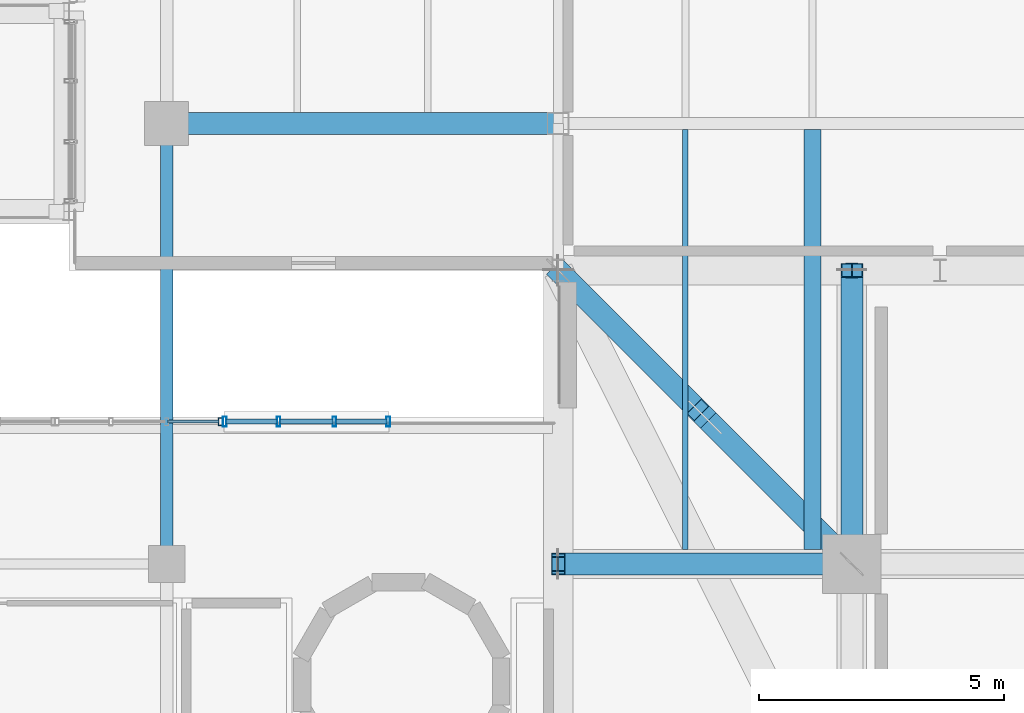
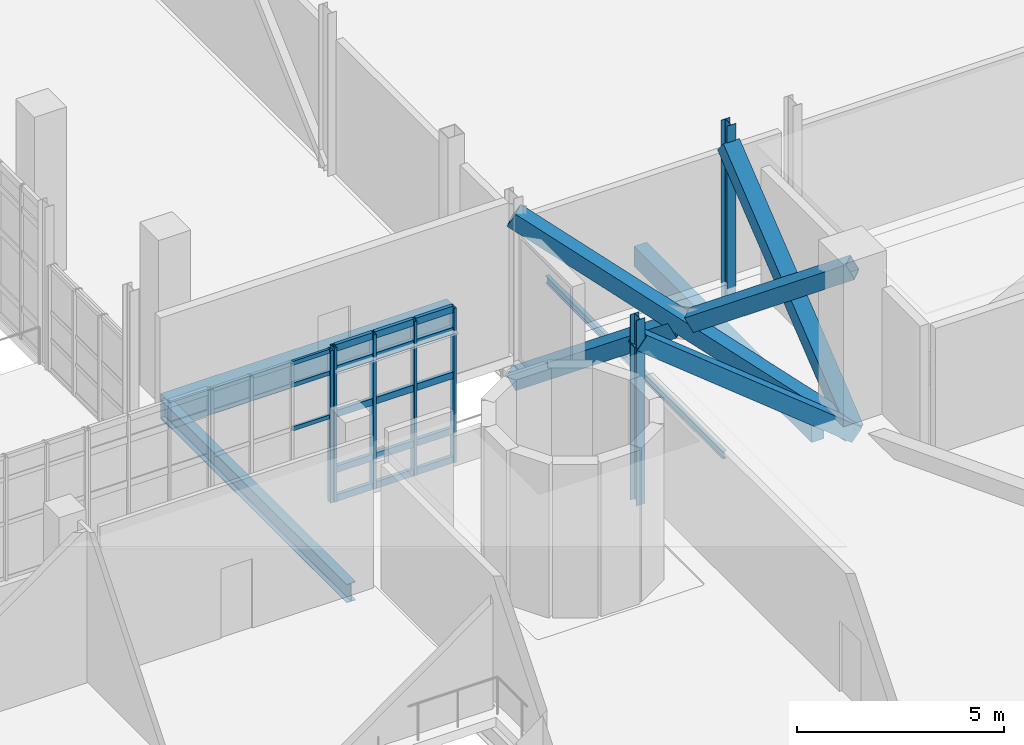
# One storey, part 34 of 127: 30 members, 4 beams, 2 elements without a shape of their own.
"""IFC4 building model written with IfcOpenShell, lengths in metres."""

from ifc_helpers import new_model, si_unit, derived_unit, direction, frame, origin, origin_2d, place, context, subcontext, project, spatial, rectangle, hollow_rectangle, i_section, extrude, material, layer, layer_set, material_profile, profile_set, type_object, element, aggregate, save


model = new_model("IFC4")

# Units and contexts
model_context = context("Model", 3, precision=1e-05, world=origin(), true_north=direction((0.0, 1.0)))
body_context = subcontext(model_context, "Body", "Model", "MODEL_VIEW")
ifc_project = project(units=[si_unit("LENGTHUNIT", "METRE"), si_unit("AREAUNIT", "SQUARE_METRE"), si_unit("VOLUMEUNIT", "CUBIC_METRE"), si_unit("PLANEANGLEUNIT", "RADIAN"), si_unit("MASSUNIT", "GRAM", prefix="KILO"), derived_unit("THERMALTRANSMITTANCEUNIT", [(si_unit("POWERUNIT", "WATT"), 1), (si_unit("LENGTHUNIT", "METRE"), -2), (si_unit("THERMODYNAMICTEMPERATUREUNIT", "KELVIN"), -1)])], contexts=[model_context])

# Site, building, storey
site_placement = place(None, origin())
site = spatial("IfcSite", under=ifc_project, at=site_placement, CompositionType="ELEMENT")
building_placement = place(site_placement, origin())
building = spatial("IfcBuilding", under=site, at=building_placement, Name="Nallur Shell Playhouse", CompositionType="ELEMENT")
storey_placement = place(building_placement, frame((0.0, 0.0, 5.39990234375)))
storey = spatial("IfcBuildingStorey", under=building, at=storey_placement, Name="L02", CompositionType="ELEMENT", Elevation=5.39990234375)

# Beams
ifc_material_1 = material(Name="Steel E250", Category="steel")
ifc_material_profile_1 = material_profile(ifc_material_1, i_section(OverallWidth=0.110107421875, OverallDepth=0.22509765625, WebThickness=0.006591796875, FlangeThickness=0.01171875, FilletRadius=0.011962890625, at=origin_2d()), Name="ISMB 225")
ifc_profile_set_1 = profile_set([ifc_material_profile_1], Name="Steel E250")
beam_type_1 = type_object("IfcBeamType", Name="BM-JST-ISMB225", PredefinedType="JOIST", material=ifc_profile_set_1)
beam_1_placement = place(storey_placement, frame((66.60009765625, 41.298095703125, -0.392333984375), z_axis=(0.0, 1.0, 0.0), x_axis=(-1.0, 0.0, 0.0)))
element("IfcBeam", 1, at=beam_1_placement, inside=storey, type_object=beam_type_1, Name="L02 secondary joist 8-E-533", PredefinedType="JOIST", context=body_context, shape_type="SweptSolid", body=[
    extrude(i_section(OverallWidth=0.110107421875, OverallDepth=0.22509765625, WebThickness=0.006591796875, FlangeThickness=0.01171875, FilletRadius=0.011962890625, at=origin_2d()), origin(), (0.0, 0.0, 1.0), 8.578857421875),
])
ifc_material_2 = material(Name="Concrete M30", Category="concrete")
ifc_material_profile_2 = material_profile(ifc_material_2, rectangle(XDim=0.35009765625, YDim=0.60009765625, at=origin_2d()), Name="RC 350x600")
ifc_profile_set_2 = profile_set([ifc_material_profile_2], Name="Concrete M30")
beam_type_2 = type_object("IfcBeamType", Name="BM-RC-350x600", PredefinedType="JOIST", material=ifc_profile_set_2)
beam_2_placement = place(storey_placement, frame((69.199951171875, 41.298095703125, -0.579833984375), z_axis=(0.0, 1.0, 0.0), x_axis=(-1.0, 0.0, 0.0)))
element("IfcBeam", 2, at=beam_2_placement, inside=storey, type_object=beam_type_2, Name="L02 secondary joist 8-E-534", PredefinedType="JOIST", context=body_context, shape_type="SweptSolid", body=[
    extrude(rectangle(XDim=0.35009765625, YDim=0.60009765625, at=origin_2d()), origin(), (0.0, 0.0, 1.0), 8.578857421875),
])
ifc_material_3 = material(Name="Concrete M35", Category="concrete")
ifc_material_profile_3 = material_profile(ifc_material_3, rectangle(XDim=0.449951171875, YDim=0.75, at=origin_2d()), Name="RC 450x750")
ifc_profile_set_3 = profile_set([ifc_material_profile_3], Name="Concrete M35")
beam_type_3 = type_object("IfcBeamType", Name="BM-RC-450x750", PredefinedType="BEAM", material=ifc_profile_set_3)
beam_3_placement = place(storey_placement, frame((56.0, 50.0, -0.65478515625), z_axis=(1.0, 0.0, 0.0), x_axis=(0.0, 1.0, 0.0)))
element("IfcBeam", 3, at=beam_3_placement, inside=storey, type_object=beam_type_3, Name="L02 girder X-F-350", PredefinedType="BEAM", context=body_context, shape_type="SweptSolid", body=[
    extrude(rectangle(XDim=0.449951171875, YDim=0.75, at=origin_2d()), origin(), (0.0, 0.0, 1.0), 8.0),
])
ifc_material_4 = material(Name="Steel E350", Category="steel")
ifc_material_profile_4 = material_profile(ifc_material_4, i_section(OverallWidth=0.25, OverallDepth=0.550048828125, WebThickness=0.010498046875, FlangeThickness=0.017578125, FilletRadius=0.01611328125, at=origin_2d()), Name="ISWB 550")
ifc_profile_set_4 = profile_set([ifc_material_profile_4], Name="Steel E350")
beam_type_4 = type_object("IfcBeamType", Name="BM-ST-ISWB550", PredefinedType="BEAM", material=ifc_profile_set_4)
beam_4_placement = place(storey_placement, frame((56.0, 41.0, -0.554931640625), z_axis=(0.0, 1.0, 0.0), x_axis=(-1.0, 0.0, 0.0)))
element("IfcBeam", 4, at=beam_4_placement, inside=storey, type_object=beam_type_4, Name="L02 girder Y-7-434", PredefinedType="BEAM", context=body_context, shape_type="SweptSolid", body=[
    extrude(i_section(OverallWidth=0.25, OverallDepth=0.550048828125, WebThickness=0.010498046875, FlangeThickness=0.017578125, FilletRadius=0.01611328125, at=origin_2d()), origin(), (0.0, 0.0, 1.0), 9.0),
])

# Curtain wall, member
ifc_material_5 = material(Name="Anodised Aluminium Double-Glazed Facade System", Category="aluminium")
ifc_layer_1 = layer(ifc_material_5, 0.179931640625)
ifc_layer_set_1 = layer_set([ifc_layer_1], Name="Anodised Aluminium Double-Glazed Facade System")
curtain_wall_type_1 = type_object("IfcCurtainWallType", Name="CW-UNIT-11", PredefinedType="NOTDEFINED", material=ifc_layer_set_1)
curtain_wall_1_placement = place(storey_placement, origin())
curtain_wall_1 = element("IfcCurtainWall", 5, at=curtain_wall_1_placement, inside=storey, type_object=curtain_wall_type_1, Name="Unitised curtain wall CW-011 (L02)", PredefinedType="NOTDEFINED")
ifc_material_6 = material(Name="Aluminium Alloy 6063-T6 Mullion", Category="aluminium")
ifc_material_profile_5 = material_profile(ifc_material_6, hollow_rectangle(XDim=0.080078125, YDim=0.159912109375, WallThickness=0.006103515625, at=origin_2d()), Name="RHS 160x80x6")
ifc_profile_set_5 = profile_set([ifc_material_profile_5], Name="Aluminium Alloy 6063-T6 Mullion")
member_type_1 = type_object("IfcMemberType", Name="MB-CW-MUL150", PredefinedType="MULLION", material=ifc_profile_set_5)
member_1_placement = place(storey_placement, frame((57.097900390625, 43.909912109375, -0.014892578125), z_axis=(0.0, 0.0, 1.0), x_axis=(1.0, 0.0, 0.0)))
member_1 = element("IfcMember", 6, at=member_1_placement, type_object=member_type_1, Name="CW-11 mullion 4", PredefinedType="MULLION", context=body_context, shape_type="SweptSolid", body=[
    extrude(hollow_rectangle(XDim=0.080078125, YDim=0.159912109375, WallThickness=0.006103515625, at=origin_2d()), origin(), (0.0, 0.0, 1.0), 4.4990234375),
])

# Curtain wall, members
ifc_layer_2 = layer(ifc_material_5, 0.159912109375)
ifc_layer_set_2 = layer_set([ifc_layer_2], Name="Anodised Aluminium Double-Glazed Facade System")
curtain_wall_type_2 = type_object("IfcCurtainWallType", Name="CW-UNIT-12", PredefinedType="NOTDEFINED", material=ifc_layer_set_2)
curtain_wall_2_placement = place(storey_placement, origin())
curtain_wall_2 = element("IfcCurtainWall", 7, at=curtain_wall_2_placement, inside=storey, type_object=curtain_wall_type_2, Name="Unitised curtain wall CW-012 (L02)", PredefinedType="NOTDEFINED")
ifc_material_profile_6 = material_profile(ifc_material_6, hollow_rectangle(XDim=0.074951171875, YDim=0.199951171875, WallThickness=0.0048828125, at=origin_2d()), Name="ALU 75x200x5")
ifc_profile_set_6 = profile_set([ifc_material_profile_6], Name="Aluminium Alloy 6063-T6 Mullion")
member_type_2 = type_object("IfcMemberType", Name="MB-CW-MUL180", PredefinedType="MULLION", material=ifc_profile_set_6)
member_2_placement = place(storey_placement, frame((57.185302734375, 43.909912109375, -0.014892578125), z_axis=(0.0, 0.0, 1.0), x_axis=(1.0, 0.0, 0.0)))
member_2 = element("IfcMember", 8, at=member_2_placement, type_object=member_type_2, Name="CW-12 mullion 1", PredefinedType="MULLION", context=body_context, shape_type="SweptSolid", body=[
    extrude(hollow_rectangle(XDim=0.074951171875, YDim=0.199951171875, WallThickness=0.0048828125, at=origin_2d()), origin(), (0.0, 0.0, 1.0), 4.55908203125),
])
member_3_placement = place(storey_placement, frame((58.287353515625, 43.909912109375, -0.014892578125), z_axis=(0.0, 0.0, 1.0), x_axis=(1.0, 0.0, 0.0)))
member_3 = element("IfcMember", 9, at=member_3_placement, type_object=member_type_2, Name="CW-12 mullion 2", PredefinedType="MULLION", context=body_context, shape_type="SweptSolid", body=[
    extrude(hollow_rectangle(XDim=0.074951171875, YDim=0.199951171875, WallThickness=0.0048828125, at=origin_2d()), origin(), (0.0, 0.0, 1.0), 4.55908203125),
])
member_4_placement = place(storey_placement, frame((59.427001953125, 43.909912109375, -0.014892578125), z_axis=(0.0, 0.0, 1.0), x_axis=(1.0, 0.0, 0.0)))
member_4 = element("IfcMember", 10, at=member_4_placement, type_object=member_type_2, Name="CW-12 mullion 3", PredefinedType="MULLION", context=body_context, shape_type="SweptSolid", body=[
    extrude(hollow_rectangle(XDim=0.074951171875, YDim=0.199951171875, WallThickness=0.0048828125, at=origin_2d()), origin(), (0.0, 0.0, 1.0), 4.55908203125),
])
member_5_placement = place(storey_placement, frame((60.52880859375, 43.909912109375, -0.014892578125), z_axis=(0.0, 0.0, 1.0), x_axis=(1.0, 0.0, 0.0)))
member_5 = element("IfcMember", 11, at=member_5_placement, type_object=member_type_2, Name="CW-12 mullion 4", PredefinedType="MULLION", context=body_context, shape_type="SweptSolid", body=[
    extrude(hollow_rectangle(XDim=0.074951171875, YDim=0.199951171875, WallThickness=0.0048828125, at=origin_2d()), origin(), (0.0, 0.0, 1.0), 4.55908203125),
])

# Member
ifc_material_7 = material(Name="Aluminium Alloy 6063-T6 Transom", Category="aluminium")
ifc_material_profile_7 = material_profile(ifc_material_7, hollow_rectangle(XDim=0.06494140625, YDim=0.1201171875, WallThickness=0.00390625, at=origin_2d()), Name="ALU 65x120x4")
ifc_profile_set_7 = profile_set([ifc_material_profile_7], Name="Aluminium Alloy 6063-T6 Transom")
member_type_3 = type_object("IfcMemberType", Name="MB-CW-TRN120", PredefinedType="USERDEFINED", material=ifc_profile_set_7)
member_6_placement = place(storey_placement, frame((56.0302734375, 43.909912109375, 2.509033203125), z_axis=(1.0, 0.0, 0.0), x_axis=(0.0, 1.0, 0.0)))
member_6 = element("IfcMember", 12, at=member_6_placement, type_object=member_type_3, Name="CW-11 transom 3.3", ObjectType="TRANSOM", PredefinedType="USERDEFINED", context=body_context, shape_type="SweptSolid", body=[
    extrude(hollow_rectangle(XDim=0.06494140625, YDim=0.1201171875, WallThickness=0.00390625, at=origin_2d()), origin(), (0.0, 0.0, 1.0), 1.03564453125),
])

member_7_placement = place(storey_placement, frame((56.0302734375, 43.909912109375, 3.800048828125), z_axis=(1.0, 0.0, 0.0), x_axis=(0.0, 1.0, 0.0)))
member_7 = element("IfcMember", 13, at=member_7_placement, type_object=member_type_3, Name="CW-11 transom 3.4", ObjectType="TRANSOM", PredefinedType="USERDEFINED", context=body_context, shape_type="SweptSolid", body=[
    extrude(hollow_rectangle(XDim=0.06494140625, YDim=0.1201171875, WallThickness=0.00390625, at=origin_2d()), origin(), (0.0, 0.0, 1.0), 1.03564453125),
])

member_8_placement = place(storey_placement, frame((56.0302734375, 43.909912109375, 4.447509765625), z_axis=(1.0, 0.0, 0.0), x_axis=(0.0, 1.0, 0.0)))
member_8 = element("IfcMember", 14, at=member_8_placement, type_object=member_type_3, Name="CW-11 transom 3.5", ObjectType="TRANSOM", PredefinedType="USERDEFINED", context=body_context, shape_type="SweptSolid", body=[
    extrude(hollow_rectangle(XDim=0.06494140625, YDim=0.1201171875, WallThickness=0.00390625, at=origin_2d()), origin(), (0.0, 0.0, 1.0), 1.03564453125),
])

aggregate(curtain_wall_1, [member_1, member_6, member_7, member_8])

ifc_material_profile_8 = material_profile(ifc_material_7, hollow_rectangle(XDim=0.10009765625, YDim=0.199951171875, WallThickness=0.008056640625, at=origin_2d()), Name="RHS 200x100x8")
ifc_profile_set_8 = profile_set([ifc_material_profile_8], Name="Aluminium Alloy 6063-T6 Transom")
member_type_4 = type_object("IfcMemberType", Name="MB-CW-TRN140", PredefinedType="USERDEFINED", material=ifc_profile_set_8)
member_9_placement = place(storey_placement, frame((57.21484375, 43.909912109375, 0.050048828125), z_axis=(1.0, 0.0, 0.0), x_axis=(0.0, 1.0, 0.0)))
member_9 = element("IfcMember", 15, at=member_9_placement, type_object=member_type_4, Name="CW-12 transom 1.1", ObjectType="TRANSOM", PredefinedType="USERDEFINED", context=body_context, shape_type="SweptSolid", body=[
    extrude(hollow_rectangle(XDim=0.10009765625, YDim=0.199951171875, WallThickness=0.008056640625, at=origin_2d()), origin(), (0.0, 0.0, 1.0), 1.04296875),
])

member_10_placement = place(storey_placement, frame((57.21484375, 43.909912109375, 0.900146484375), z_axis=(1.0, 0.0, 0.0), x_axis=(0.0, 1.0, 0.0)))
member_10 = element("IfcMember", 16, at=member_10_placement, type_object=member_type_4, Name="CW-12 transom 1.2", ObjectType="TRANSOM", PredefinedType="USERDEFINED", context=body_context, shape_type="SweptSolid", body=[
    extrude(hollow_rectangle(XDim=0.10009765625, YDim=0.199951171875, WallThickness=0.008056640625, at=origin_2d()), origin(), (0.0, 0.0, 1.0), 1.04296875),
])

member_11_placement = place(storey_placement, frame((57.21484375, 43.909912109375, 2.5419921875), z_axis=(1.0, 0.0, 0.0), x_axis=(0.0, 1.0, 0.0)))
member_11 = element("IfcMember", 17, at=member_11_placement, type_object=member_type_4, Name="CW-12 transom 1.3", ObjectType="TRANSOM", PredefinedType="USERDEFINED", context=body_context, shape_type="SweptSolid", body=[
    extrude(hollow_rectangle(XDim=0.10009765625, YDim=0.199951171875, WallThickness=0.008056640625, at=origin_2d()), origin(), (0.0, 0.0, 1.0), 1.04296875),
])

member_12_placement = place(storey_placement, frame((57.21484375, 43.909912109375, 3.860107421875), z_axis=(1.0, 0.0, 0.0), x_axis=(0.0, 1.0, 0.0)))
member_12 = element("IfcMember", 18, at=member_12_placement, type_object=member_type_4, Name="CW-12 transom 1.4", ObjectType="TRANSOM", PredefinedType="USERDEFINED", context=body_context, shape_type="SweptSolid", body=[
    extrude(hollow_rectangle(XDim=0.10009765625, YDim=0.199951171875, WallThickness=0.008056640625, at=origin_2d()), origin(), (0.0, 0.0, 1.0), 1.04296875),
])

member_13_placement = place(storey_placement, frame((57.21484375, 43.909912109375, 4.489990234375), z_axis=(1.0, 0.0, 0.0), x_axis=(0.0, 1.0, 0.0)))
member_13 = element("IfcMember", 19, at=member_13_placement, type_object=member_type_4, Name="CW-12 transom 1.5", ObjectType="TRANSOM", PredefinedType="USERDEFINED", context=body_context, shape_type="SweptSolid", body=[
    extrude(hollow_rectangle(XDim=0.10009765625, YDim=0.199951171875, WallThickness=0.008056640625, at=origin_2d()), origin(), (0.0, 0.0, 1.0), 1.04296875),
])

member_14_placement = place(storey_placement, frame((58.31689453125, 43.909912109375, 0.050048828125), z_axis=(1.0, 0.0, 0.0), x_axis=(0.0, 1.0, 0.0)))
member_14 = element("IfcMember", 20, at=member_14_placement, type_object=member_type_4, Name="CW-12 transom 2.1", ObjectType="TRANSOM", PredefinedType="USERDEFINED", context=body_context, shape_type="SweptSolid", body=[
    extrude(hollow_rectangle(XDim=0.10009765625, YDim=0.199951171875, WallThickness=0.008056640625, at=origin_2d()), origin(), (0.0, 0.0, 1.0), 1.08056640625),
])

member_15_placement = place(storey_placement, frame((58.31689453125, 43.909912109375, 0.900146484375), z_axis=(1.0, 0.0, 0.0), x_axis=(0.0, 1.0, 0.0)))
member_15 = element("IfcMember", 21, at=member_15_placement, type_object=member_type_4, Name="CW-12 transom 2.2", ObjectType="TRANSOM", PredefinedType="USERDEFINED", context=body_context, shape_type="SweptSolid", body=[
    extrude(hollow_rectangle(XDim=0.10009765625, YDim=0.199951171875, WallThickness=0.008056640625, at=origin_2d()), origin(), (0.0, 0.0, 1.0), 1.08056640625),
])

member_16_placement = place(storey_placement, frame((58.31689453125, 43.909912109375, 2.5419921875), z_axis=(1.0, 0.0, 0.0), x_axis=(0.0, 1.0, 0.0)))
member_16 = element("IfcMember", 22, at=member_16_placement, type_object=member_type_4, Name="CW-12 transom 2.3", ObjectType="TRANSOM", PredefinedType="USERDEFINED", context=body_context, shape_type="SweptSolid", body=[
    extrude(hollow_rectangle(XDim=0.10009765625, YDim=0.199951171875, WallThickness=0.008056640625, at=origin_2d()), origin(), (0.0, 0.0, 1.0), 1.08056640625),
])

member_17_placement = place(storey_placement, frame((58.31689453125, 43.909912109375, 3.860107421875), z_axis=(1.0, 0.0, 0.0), x_axis=(0.0, 1.0, 0.0)))
member_17 = element("IfcMember", 23, at=member_17_placement, type_object=member_type_4, Name="CW-12 transom 2.4", ObjectType="TRANSOM", PredefinedType="USERDEFINED", context=body_context, shape_type="SweptSolid", body=[
    extrude(hollow_rectangle(XDim=0.10009765625, YDim=0.199951171875, WallThickness=0.008056640625, at=origin_2d()), origin(), (0.0, 0.0, 1.0), 1.08056640625),
])

member_18_placement = place(storey_placement, frame((58.31689453125, 43.909912109375, 4.489990234375), z_axis=(1.0, 0.0, 0.0), x_axis=(0.0, 1.0, 0.0)))
member_18 = element("IfcMember", 24, at=member_18_placement, type_object=member_type_4, Name="CW-12 transom 2.5", ObjectType="TRANSOM", PredefinedType="USERDEFINED", context=body_context, shape_type="SweptSolid", body=[
    extrude(hollow_rectangle(XDim=0.10009765625, YDim=0.199951171875, WallThickness=0.008056640625, at=origin_2d()), origin(), (0.0, 0.0, 1.0), 1.08056640625),
])

member_19_placement = place(storey_placement, frame((59.456298828125, 43.909912109375, 0.050048828125), z_axis=(1.0, 0.0, 0.0), x_axis=(0.0, 1.0, 0.0)))
member_19 = element("IfcMember", 25, at=member_19_placement, type_object=member_type_4, Name="CW-12 transom 3.1", ObjectType="TRANSOM", PredefinedType="USERDEFINED", context=body_context, shape_type="SweptSolid", body=[
    extrude(hollow_rectangle(XDim=0.10009765625, YDim=0.199951171875, WallThickness=0.008056640625, at=origin_2d()), origin(), (0.0, 0.0, 1.0), 1.043212890625),
])

member_20_placement = place(storey_placement, frame((59.456298828125, 43.909912109375, 0.900146484375), z_axis=(1.0, 0.0, 0.0), x_axis=(0.0, 1.0, 0.0)))
member_20 = element("IfcMember", 26, at=member_20_placement, type_object=member_type_4, Name="CW-12 transom 3.2", ObjectType="TRANSOM", PredefinedType="USERDEFINED", context=body_context, shape_type="SweptSolid", body=[
    extrude(hollow_rectangle(XDim=0.10009765625, YDim=0.199951171875, WallThickness=0.008056640625, at=origin_2d()), origin(), (0.0, 0.0, 1.0), 1.043212890625),
])

member_21_placement = place(storey_placement, frame((59.456298828125, 43.909912109375, 2.5419921875), z_axis=(1.0, 0.0, 0.0), x_axis=(0.0, 1.0, 0.0)))
member_21 = element("IfcMember", 27, at=member_21_placement, type_object=member_type_4, Name="CW-12 transom 3.3", ObjectType="TRANSOM", PredefinedType="USERDEFINED", context=body_context, shape_type="SweptSolid", body=[
    extrude(hollow_rectangle(XDim=0.10009765625, YDim=0.199951171875, WallThickness=0.008056640625, at=origin_2d()), origin(), (0.0, 0.0, 1.0), 1.043212890625),
])

member_22_placement = place(storey_placement, frame((59.456298828125, 43.909912109375, 3.860107421875), z_axis=(1.0, 0.0, 0.0), x_axis=(0.0, 1.0, 0.0)))
member_22 = element("IfcMember", 28, at=member_22_placement, type_object=member_type_4, Name="CW-12 transom 3.4", ObjectType="TRANSOM", PredefinedType="USERDEFINED", context=body_context, shape_type="SweptSolid", body=[
    extrude(hollow_rectangle(XDim=0.10009765625, YDim=0.199951171875, WallThickness=0.008056640625, at=origin_2d()), origin(), (0.0, 0.0, 1.0), 1.043212890625),
])

member_23_placement = place(storey_placement, frame((59.456298828125, 43.909912109375, 4.489990234375), z_axis=(1.0, 0.0, 0.0), x_axis=(0.0, 1.0, 0.0)))
member_23 = element("IfcMember", 29, at=member_23_placement, type_object=member_type_4, Name="CW-12 transom 3.5", ObjectType="TRANSOM", PredefinedType="USERDEFINED", context=body_context, shape_type="SweptSolid", body=[
    extrude(hollow_rectangle(XDim=0.10009765625, YDim=0.199951171875, WallThickness=0.008056640625, at=origin_2d()), origin(), (0.0, 0.0, 1.0), 1.043212890625),
])

aggregate(curtain_wall_2, [member_2, member_3, member_4, member_5, member_9, member_10, member_11, member_12, member_13, member_14, member_15, member_16, member_17, member_18, member_19, member_20, member_21, member_22, member_23])

# Members
ifc_material_profile_9 = material_profile(ifc_material_4, i_section(OverallWidth=0.25, OverallDepth=0.300048828125, WebThickness=0.009521484375, FlangeThickness=0.010498046875, FilletRadius=0.010986328125, at=origin_2d()), Name="ISHB 300")
ifc_profile_set_9 = profile_set([ifc_material_profile_9], Name="Steel E350")
member_type_5 = type_object("IfcMemberType", Name="MB-FASCIA-POST", PredefinedType="POST", material=ifc_profile_set_9)
for number, where, z_axis, x_axis, name in (
    (30, (70.0, 47.0, -0.679931640625), (0.0, 0.0, 1.0), (1.0, 0.0, 0.0), "Cantilever truss fascia post POST-GB-L02-09"),
    (31, (64.0, 41.0, -0.679931640625), (0.0, 0.0, 1.0), (1.0, 0.0, 0.0), "Cantilever truss fascia post POST-GB-L02-13"),
):
    element("IfcMember", number, at=place(storey_placement, frame(where, z_axis=z_axis, x_axis=x_axis)), inside=storey, type_object=member_type_5, Name=name, PredefinedType="POST", context=body_context, shape_type="SweptSolid", body=[
        extrude(i_section(OverallWidth=0.25, OverallDepth=0.300048828125, WebThickness=0.009521484375, FlangeThickness=0.010498046875, FilletRadius=0.010986328125, at=origin_2d()), origin(), (0.0, 0.0, 1.0), 5.47998046875),
    ])
ifc_material_profile_10 = material_profile(ifc_material_4, hollow_rectangle(XDim=0.449951171875, YDim=0.449951171875, WallThickness=0.02001953125, at=origin_2d()), Name="BOX 450x450x20")
ifc_profile_set_10 = profile_set([ifc_material_profile_10], Name="Steel E350")
member_type_6 = type_object("IfcMemberType", Name="MB-TT-DIAG", PredefinedType="BRACE", material=ifc_profile_set_10)
for number, where, z_axis, x_axis, name in (
    (32, (64.0, 41.0, 4.14013671875), (0.779595223506, 0.0, -0.626283711657), (0.0, 1.0, 0.0), "Transfer truss TT-2 diagonal 1"),
    (33, (70.0, 41.0, -0.679931640625), (0.0, 0.779595223506, 0.626283711657), (-1.0, 0.0, 0.0), "Transfer truss TT-3 diagonal 4"),
):
    element("IfcMember", number, at=place(storey_placement, frame(where, z_axis=z_axis, x_axis=x_axis)), inside=storey, type_object=member_type_6, Name=name, PredefinedType="BRACE", context=body_context, shape_type="SweptSolid", body=[
        extrude(hollow_rectangle(XDim=0.449951171875, YDim=0.449951171875, WallThickness=0.02001953125, at=origin_2d()), origin(), (0.0, 0.0, 1.0), 7.6962890625),
    ])
member_24_placement = place(storey_placement, frame((70.0, 41.0, -0.679931640625), z_axis=(-0.614833302554, 0.614833302554, 0.493923091322), x_axis=(-0.707106781187, -0.707106781187, 0.0)))
element("IfcMember", 34, at=member_24_placement, inside=storey, type_object=member_type_6, Name="Corner transfer TTC-NW continuous diagonal strut", PredefinedType="BRACE", context=body_context, shape_type="SweptSolid", body=[
    extrude(hollow_rectangle(XDim=0.449951171875, YDim=0.449951171875, WallThickness=0.02001953125, at=origin_2d()), origin(), (0.0, 0.0, 1.0), 9.7587890625),
])
for number, where, z_axis, x_axis, name in (
    (35, (70.0, 41.0, 4.14013671875), (-0.614824935182, 0.614824935182, -0.493943922077), (-0.707106781187, -0.707106781187, 0.0), "Corner transfer TTC-NW split diagonal tie 1"),
    (36, (66.852294921875, 44.147705078125, 1.611572265625), (-0.614824935182, 0.614824935182, -0.493943922077), (-0.707106781187, -0.707106781187, 0.0), "Corner transfer TTC-NW split diagonal tie 2"),
):
    element("IfcMember", number, at=place(storey_placement, frame(where, z_axis=z_axis, x_axis=x_axis)), inside=storey, type_object=member_type_6, Name=name, PredefinedType="BRACE", context=body_context, shape_type="SweptSolid", body=[
        extrude(hollow_rectangle(XDim=0.449951171875, YDim=0.449951171875, WallThickness=0.02001953125, at=origin_2d()), origin(), (0.0, 0.0, 1.0), 4.63916015625),
    ])

save(model, "model.ifc")
